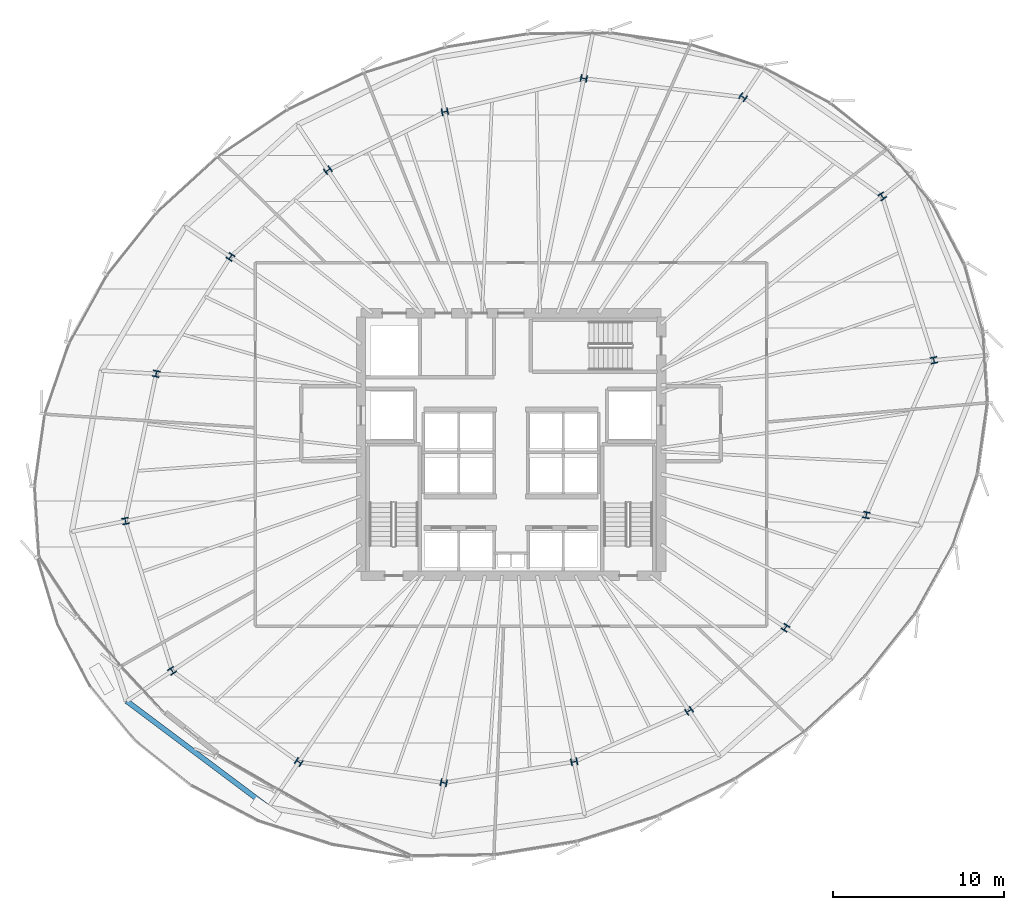
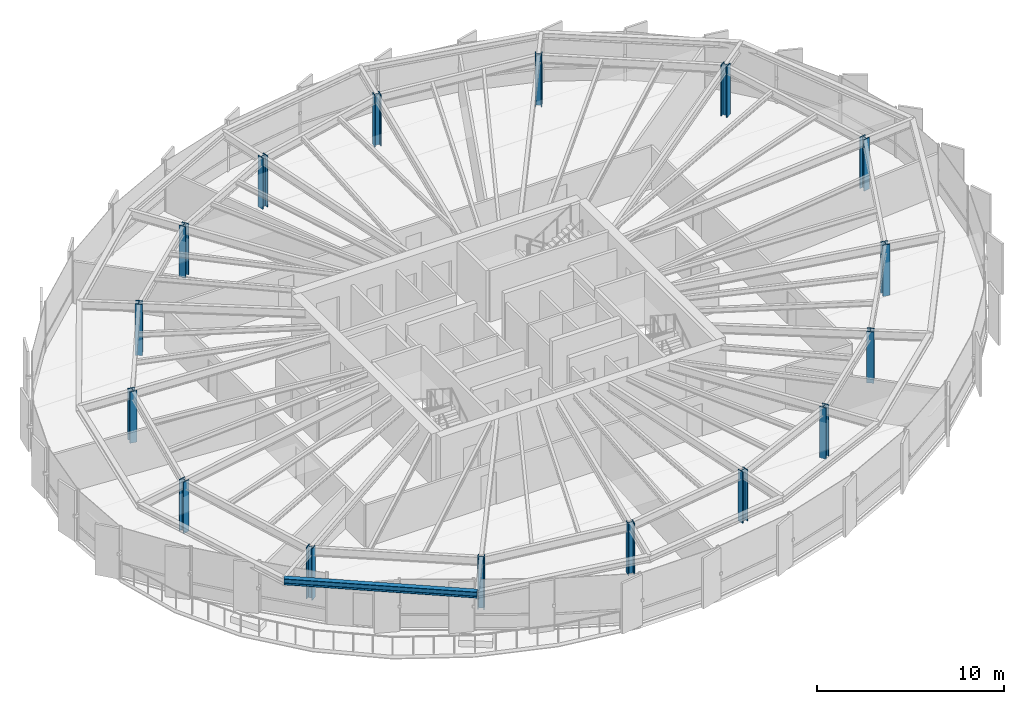
# One storey, part 1 of 35: 16 columns, 1 beam.
"""IFC4 building model written with IfcOpenShell, lengths in metres."""

from ifc_helpers import new_model, si_unit, direction, frame, origin, origin_2d, place, context, subcontext, project, spatial, i_section, extrude, source, transform, mapped, material, material_profile, profile_set, type_object, element, save


model = new_model("IFC4")

# Units and contexts
model_context = context("Model", 3, precision=1e-05, world=origin(), true_north=direction((0.0, 1.0)))
body_context = subcontext(model_context, "Body", "Model", "MODEL_VIEW")
ifc_project = project(units=[si_unit("LENGTHUNIT", "METRE"), si_unit("AREAUNIT", "SQUARE_METRE"), si_unit("VOLUMEUNIT", "CUBIC_METRE"), si_unit("PLANEANGLEUNIT", "RADIAN"), si_unit("MASSUNIT", "GRAM", prefix="KILO"), si_unit("THERMODYNAMICTEMPERATUREUNIT", "KELVIN")], contexts=[model_context])

# Site, building, storey
site_placement = place(None, origin())
site = spatial("IfcSite", under=ifc_project, at=site_placement, CompositionType="ELEMENT")
building_placement = place(site_placement, origin())
building = spatial("IfcBuilding", under=site, at=building_placement, Name="Kethvar Cultural Tower", CompositionType="ELEMENT")
storey_placement = place(building_placement, frame((0.0, 0.0, 121.60009765625)))
storey = spatial("IfcBuildingStorey", under=building, at=storey_placement, Name="L30", CompositionType="ELEMENT", Elevation=121.60009765625)

# Columns
ifc_material_1 = material(Name="Steel S460M", Category="steel")
ifc_material_profile_1 = material_profile(ifc_material_1, i_section(OverallWidth=0.40087890625, OverallDepth=0.381103515625, WebThickness=0.031982421875, FlangeThickness=0.051025390625, FilletRadius=0.014892578125, at=origin_2d()), Name="Steel S460M — HD400x677")
ifc_profile_set_1 = profile_set([ifc_material_profile_1], Name="Steel S460M — HD400x677")
column_type = type_object("IfcColumnType", Name="COL-HD677", PredefinedType="COLUMN", material=ifc_profile_set_1)
shared_shape_1 = source(origin(), body_context, "Body", "SweptSolid", [
    extrude(i_section(OverallWidth=0.40087890625, OverallDepth=0.381103515625, WebThickness=0.031982421875, FlangeThickness=0.051025390625, FilletRadius=0.014892578125, at=origin_2d()), origin(), (0.0, 0.0, 1.0), 3.349853515625),
])
for number, where, z_axis, x_axis, name in (
    (1, (71.6025390625, 32.7333984375, 0.0), (0.0, 0.0, 1.0), (0.980785280403, 0.195090322016, 0.0), "L30 Mega-Column MC-01"),
    (2, (68.568603515625, 42.34521484375, 0.0), (0.0, 0.0, 1.0), (0.831469612303, 0.55557023302, 0.0), "L30 Mega-Column MC-02"),
    (3, (60.40478515625, 48.160888671875, 0.0), (0.0, 0.0, 1.0), (0.55557023302, 0.831469612303, 0.0), "L30 Mega-Column MC-03"),
    (4, (51.068603515625, 49.25927734375, 0.0), (0.0, 0.0, 1.0), (0.195090322016, 0.980785280403, 0.0), "L30 Mega-Column MC-04"),
    (5, (42.9189453125, 47.311279296875, 0.0), (0.0, 0.0, 1.0), (-0.195090322016, 0.980785280403, 0.0), "L30 Mega-Column MC-05"),
    (6, (36.0576171875, 43.877197265625, 0.0), (0.0, 0.0, 1.0), (-0.55557023302, 0.831469612303, 0.0), "L30 Mega-Column MC-06"),
    (7, (30.345947265625, 38.794189453125, 0.0), (0.0, 0.0, 1.0), (-0.831469612303, 0.55557023302, 0.0), "L30 Mega-Column MC-07"),
    (8, (25.988525390625, 31.939697265625, 0.0), (0.0, 0.0, 1.0), (-0.980785280403, 0.195090322016, 0.0), "L30 Mega-Column MC-08"),
    (9, (24.185302734375, 23.3017578125, 0.0), (0.0, 0.0, 1.0), (-0.980785280403, -0.195090322016, 0.0), "L30 Mega-Column MC-09"),
    (10, (26.920654296875, 14.51708984375, 0.0), (0.0, 0.0, 1.0), (-0.831469612303, -0.55557023302, 0.0), "L30 Mega-Column MC-10"),
    (11, (34.350830078125, 9.16845703125, 0.0), (0.0, 0.0, 1.0), (-0.55557023302, -0.831469612303, 0.0), "L30 Mega-Column MC-11"),
    (12, (42.852294921875, 7.95361328125, 0.0), (0.0, 0.0, 1.0), (-0.195090322016, -0.980785280403, 0.0), "L30 Mega-Column MC-12"),
    (13, (50.50341796875, 9.182373046875, 0.0), (0.0, 0.0, 1.0), (0.195090322016, -0.980785280403, 0.0), "L30 Mega-Column MC-13"),
    (14, (57.241943359375, 12.17236328125, 0.0), (0.0, 0.0, 1.0), (0.55557023302, -0.831469612303, 0.0), "L30 Mega-Column MC-14"),
    (15, (62.898681640625, 17.043212890625, 0.0), (0.0, 0.0, 1.0), (0.831469612303, -0.55557023302, 0.0), "L30 Mega-Column MC-15"),
    (16, (67.638671875, 23.65478515625, 0.0), (0.0, 0.0, 1.0), (0.980785280403, -0.195090322016, 0.0), "L30 Mega-Column MC-16"),
):
    element("IfcColumn", number, at=place(storey_placement, frame(where, z_axis=z_axis, x_axis=x_axis)), inside=storey, type_object=column_type, Name=name, PredefinedType="COLUMN", context=body_context, shape_type="MappedRepresentation", body=[
        mapped(shared_shape_1, transform((0.0, 0.0, 0.0), scale=1.0)),
    ])

# Beam
ifc_material_2 = material(Name="Steel S355J2", Category="steel")
ifc_material_profile_2 = material_profile(ifc_material_2, i_section(OverallWidth=0.300048828125, OverallDepth=0.39990234375, WebThickness=0.013427734375, FlangeThickness=0.02392578125, FilletRadius=0.027099609375, at=origin_2d()), Name="Steel S355J2 — HEB400")
ifc_profile_set_2 = profile_set([ifc_material_profile_2], Name="Steel S355J2 — HEB400")
beam_type = type_object("IfcBeamType", Name="BM-SP400", PredefinedType="SPANDREL", material=ifc_profile_set_2)
shared_shape_2 = source(origin(), body_context, "Body", "SweptSolid", [
    extrude(i_section(OverallWidth=0.300048828125, OverallDepth=0.39990234375, WebThickness=0.013427734375, FlangeThickness=0.02392578125, FilletRadius=0.027099609375, at=origin_2d()), origin(), (0.0, 0.0, 1.0), 10.38916015625),
])
beam_placement = place(storey_placement, frame((24.260009765625, 12.7392578125, 3.14794921875), z_axis=(0.800152249906, -0.599796946449, 0.0), x_axis=(0.599796946449, 0.800152249906, 0.0)))
element("IfcBeam", 17, at=beam_placement, inside=storey, type_object=beam_type, Name="L30 Perimeter Spandrel Beam SP-10", PredefinedType="SPANDREL", context=body_context, shape_type="MappedRepresentation", body=[
    mapped(shared_shape_2, transform((0.0, 0.0, 0.0), scale=1.0)),
])

save(model, "model.ifc")
